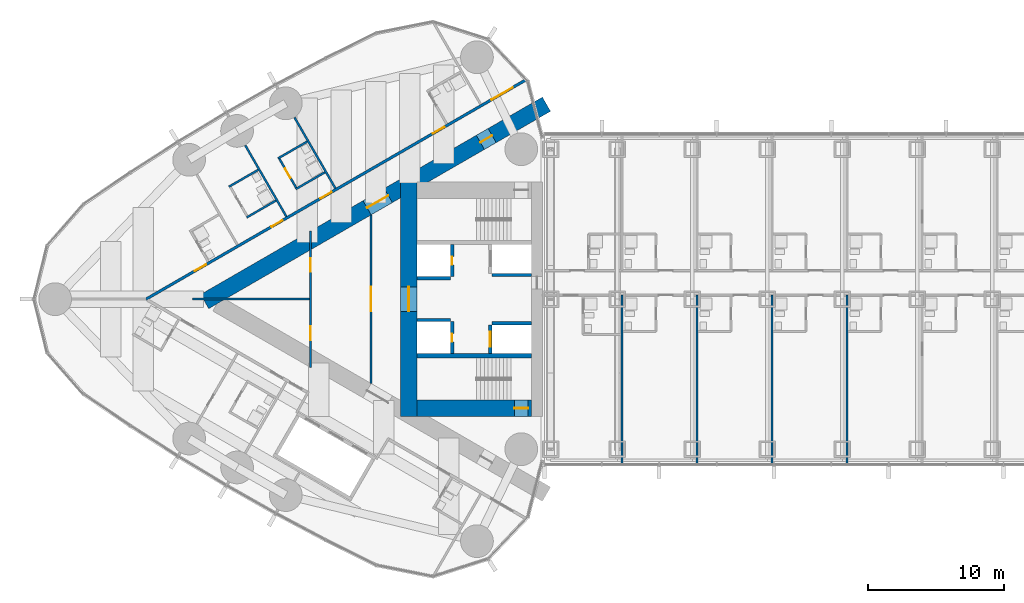
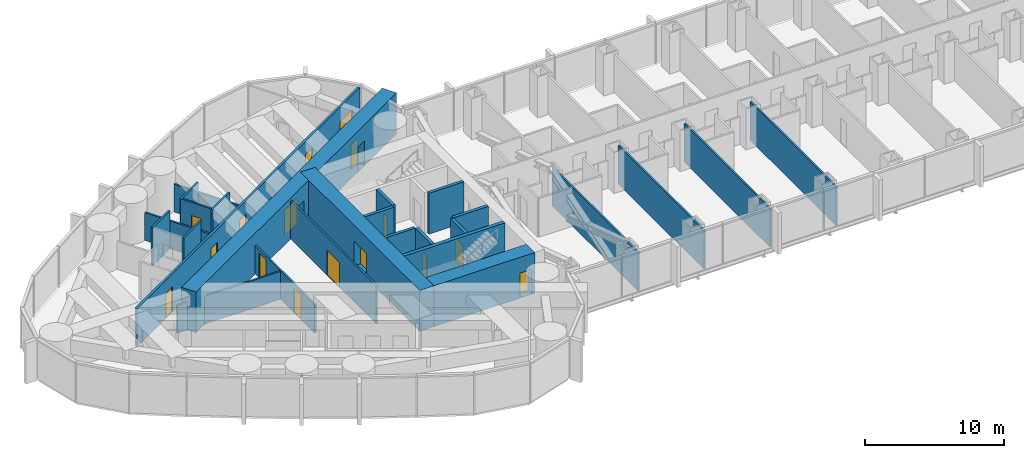
# One storey, part 15 of 23: 26 walls, 16 doors, 16 openings.
"""IFC4 building model written with IfcOpenShell, lengths in metres."""

from ifc_helpers import new_model, si_unit, direction, frame, frame_2d, origin, place, context, subcontext, project, spatial, rectangle, extrude, material, layer, layer_set, type_object, element, fill, save


model = new_model("IFC4")

# Units and contexts
model_context = context("Model", 3, precision=1e-05, world=origin(), true_north=direction((0.0, 1.0)))
body_context = subcontext(model_context, "Body", "Model", "MODEL_VIEW")
ifc_project = project(units=[si_unit("LENGTHUNIT", "METRE"), si_unit("AREAUNIT", "SQUARE_METRE"), si_unit("VOLUMEUNIT", "CUBIC_METRE"), si_unit("PLANEANGLEUNIT", "RADIAN"), si_unit("MASSUNIT", "GRAM", prefix="KILO")], contexts=[model_context])

# Site, building, storey
site_placement = place(None, origin())
site = spatial("IfcSite", under=ifc_project, at=site_placement, CompositionType="ELEMENT")
building_placement = place(site_placement, origin())
building = spatial("IfcBuilding", under=site, at=building_placement, Name="Lancet Gate Hotel", CompositionType="ELEMENT")
storey_placement = place(building_placement, frame((0.0, 0.0, 215.300048828125)))
storey = spatial("IfcBuildingStorey", under=building, at=storey_placement, Name="L57", CompositionType="ELEMENT", Elevation=215.300048828125)

# Wall
ifc_material_1 = material(Name="Moisture resistant board partition")
ifc_layer_1 = layer(ifc_material_1, 0.14990234375)
ifc_layer_set_1 = layer_set([ifc_layer_1], Name="Bathroom wall 150")
wall_type_1 = type_object("IfcWallType", Name="Bathroom wall 150", PredefinedType="PARTITIONING", material=ifc_layer_set_1)
wall_1_placement = place(storey_placement, frame((-44.745361328125, 11.560302734375, 0.0), z_axis=(0.0, 0.0, 1.0), x_axis=(-0.866006523861, -0.500032699561, 0.0)))
element("IfcWall", 1, at=wall_1_placement, inside=storey, type_object=wall_type_1, Name="T1 bathroom wall 150 L57", PredefinedType="PARTITIONING", context=body_context, shape_type="SweptSolid", body=[
    extrude(rectangle(XDim=2.474853515625, YDim=0.14990234375, at=frame_2d((1.2373046875, 0.0))), origin(), (0.0, 0.0, 1.0), 3.349853515625),
])

# Wall, opening, door
wall_2_placement = place(storey_placement, frame((-45.52392578125, 8.108642578125, 0.0), z_axis=(0.0, 0.0, 1.0), x_axis=(-0.49997716683, 0.86603858612, 0.0)))
wall_2 = element("IfcWall", 2, at=wall_2_placement, inside=storey, type_object=wall_type_1, Name="T1 bathroom wall 150 L57", PredefinedType="PARTITIONING", context=body_context, shape_type="SweptSolid", body=[
    extrude(rectangle(XDim=2.599609375, YDim=0.14990234375, at=frame_2d((1.2998046875, 0.0))), origin(), (0.0, 0.0, 1.0), 3.349853515625),
])
opening_1_placement = place(wall_2_placement, frame((0.89990234375, 0.0, 0.0)))
opening_1 = element("IfcOpeningElement", 3, at=opening_1_placement, cuts=wall_2, Name="Opening 5703-B", PredefinedType="OPENING", context=body_context, shape_type="SweptSolid", body=[
    extrude(rectangle(XDim=0.800048828125, YDim=2.199951171875, at=frame_2d((0.39990234375, 1.10009765625))), frame((0.0, 0.0849609375, 0.0), z_axis=(0.0, -1.0, 0.0), x_axis=(1.0, 0.0, 0.0)), (0.0, 0.0, 1.0), 0.169921875),
])
ifc_material_2 = material(Name="Timber door set", Category="wood")
door_type_1 = type_object("IfcDoorType", Name="Bathroom door 800", OperationType="SINGLE_SWING_RIGHT", PredefinedType="DOOR", material=ifc_material_2)
door_1_placement = place(opening_1_placement, origin())
door_1 = element("IfcDoor", 4, at=door_1_placement, inside=storey, type_object=door_type_1, Name="5703-B", OperationType="SINGLE_SWING_RIGHT", OverallHeight=2.199951171875, OverallWidth=0.800048828125, PredefinedType="DOOR", context=body_context, shape_type="SweptSolid", body=[
    extrude(rectangle(XDim=0.800048828125, YDim=2.199951171875, at=frame_2d((0.39990234375, 1.10009765625))), frame((0.0, 0.02490234375, 0.0), z_axis=(0.0, -1.0, 0.0), x_axis=(1.0, 0.0, 0.0)), (0.0, 0.0, 1.0), 0.050048828125),
])
fill(opening_1, door_1)

# Walls
wall_3_placement = place(storey_placement, frame((-43.4453125, 9.30859375, 0.0), z_axis=(0.0, 0.0, 1.0), x_axis=(-0.866031185235, -0.4999899861, 0.0)))
element("IfcWall", 5, at=wall_3_placement, inside=storey, type_object=wall_type_1, Name="T1 bathroom wall 150 L57", PredefinedType="PARTITIONING", context=body_context, shape_type="SweptSolid", body=[
    extrude(rectangle(XDim=2.47509765625, YDim=0.14990234375, at=frame_2d((1.237548828125, 0.0))), origin(), (0.0, 0.0, 1.0), 3.349853515625),
])
wall_4_placement = place(storey_placement, frame((-48.338623046875, 9.485595703125, 0.0), z_axis=(0.0, 0.0, 1.0), x_axis=(-0.866006523861, -0.500032699561, 0.0)))
element("IfcWall", 6, at=wall_4_placement, inside=storey, type_object=wall_type_1, Name="T1 bathroom wall 150 L57", PredefinedType="PARTITIONING", context=body_context, shape_type="SweptSolid", body=[
    extrude(rectangle(XDim=2.474853515625, YDim=0.14990234375, at=frame_2d((1.2373046875, 0.0))), origin(), (0.0, 0.0, 1.0), 3.349853515625),
])
wall_5_placement = place(storey_placement, frame((-47.03857421875, 7.23388671875, 0.0), z_axis=(0.0, 0.0, 1.0), x_axis=(-0.866073894602, -0.499916002032, 0.0)))
element("IfcWall", 7, at=wall_5_placement, inside=storey, type_object=wall_type_1, Name="T1 bathroom wall 150 L57", PredefinedType="PARTITIONING", context=body_context, shape_type="SweptSolid", body=[
    extrude(rectangle(XDim=2.47509765625, YDim=0.14990234375, at=frame_2d((1.237548828125, 0.0))), origin(), (0.0, 0.0, 1.0), 3.349853515625),
])

# Wall, openings, doors
ifc_material_3 = material(Name="Concrete C70/85", Category="concrete")
ifc_layer_2 = layer(ifc_material_3, 1.199951171875)
ifc_layer_set_2 = layer_set([ifc_layer_2], Name="Buttress wall 1200")
wall_type_2 = type_object("IfcWallType", Name="Buttress wall 1200", PredefinedType="SHEAR", material=ifc_layer_set_2)
wall_6_placement = place(storey_placement, frame((-27.199951171875, 14.300048828125, 0.0), z_axis=(0.0, 0.0, 1.0), x_axis=(-0.866026593062, -0.499997940104, 0.0)))
wall_6 = element("IfcWall", 8, at=wall_6_placement, inside=storey, type_object=wall_type_2, Name="T1 buttress wall S L57", PredefinedType="SHEAR", context=body_context, shape_type="SweptSolid", body=[
    extrude(rectangle(XDim=28.9462890625, YDim=1.199951171875, at=frame_2d((14.47314453125, 0.0))), origin(), (0.0, 0.0, 1.0), 3.599853515625),
])
opening_2_placement = place(wall_6_placement, frame((4.60009765625, 0.0, 0.0)))
opening_2 = element("IfcOpeningElement", 9, at=opening_2_placement, cuts=wall_6, Name="Opening T1-L57-LS", PredefinedType="OPENING", context=body_context, shape_type="SweptSolid", body=[
    extrude(rectangle(XDim=1.0, YDim=2.199951171875, at=frame_2d((0.5, 1.10009765625))), frame((0.0, 0.60986328125, 0.0), z_axis=(0.0, -1.0, 0.0), x_axis=(1.0, 0.0, 0.0)), (0.0, 0.0, 1.0), 1.219970703125),
])
opening_3_placement = place(wall_6_placement, frame((13.39453125, 0.0, 0.0)))
opening_3 = element("IfcOpeningElement", 10, at=opening_3_placement, cuts=wall_6, Name="Opening T1-L57-LHS", PredefinedType="OPENING", context=body_context, shape_type="SweptSolid", body=[
    extrude(rectangle(XDim=1.800048828125, YDim=2.199951171875, at=frame_2d((0.89990234375, 1.10009765625))), frame((0.0, 0.60986328125, 0.0), z_axis=(0.0, -1.0, 0.0), x_axis=(1.0, 0.0, 0.0)), (0.0, 0.0, 1.0), 1.219970703125),
])
ifc_material_4 = material(Name="Timber door set", Category="wood")
door_type_2 = type_object("IfcDoorType", Name="Lobby double door 1800", OperationType="DOUBLE_DOOR_SINGLE_SWING", PredefinedType="DOOR", material=ifc_material_4)
door_2_placement = place(opening_3_placement, origin())
door_2 = element("IfcDoor", 11, at=door_2_placement, inside=storey, type_object=door_type_2, Name="T1-L57-LHS", OperationType="DOUBLE_DOOR_SINGLE_SWING", OverallHeight=2.199951171875, OverallWidth=1.800048828125, PredefinedType="DOOR", context=body_context, shape_type="SweptSolid", body=[
    extrude(rectangle(XDim=1.800048828125, YDim=2.199951171875, at=frame_2d((0.89990234375, 1.10009765625))), frame((0.0, 0.02490234375, 0.0), z_axis=(0.0, -1.0, 0.0), x_axis=(1.0, 0.0, 0.0)), (0.0, 0.0, 1.0), 0.050048828125),
])
fill(opening_3, door_2)
ifc_material_5 = material(Name="Timber door set", Category="wood")
door_type_3 = type_object("IfcDoorType", Name="Stair lobby door 1000", OperationType="SINGLE_SWING_LEFT", PredefinedType="DOOR", material=ifc_material_5)
door_3_placement = place(opening_2_placement, origin())
door_3 = element("IfcDoor", 12, at=door_3_placement, inside=storey, type_object=door_type_3, Name="T1-L57-LS", OperationType="SINGLE_SWING_LEFT", OverallHeight=2.199951171875, OverallWidth=1.0, PredefinedType="DOOR", context=body_context, shape_type="SweptSolid", body=[
    extrude(rectangle(XDim=1.0, YDim=2.199951171875, at=frame_2d((0.5, 1.10009765625))), frame((0.0, 0.02490234375, 0.0), z_axis=(0.0, -1.0, 0.0), x_axis=(1.0, 0.0, 0.0)), (0.0, 0.0, 1.0), 0.050048828125),
])
fill(opening_2, door_3)

# Wall, opening, door
ifc_material_6 = material(Name="Concrete C70/85", Category="concrete")
ifc_layer_3 = layer(ifc_material_6, 1.199951171875)
ifc_layer_set_3 = layer_set([ifc_layer_3], Name="Core wall 1200")
wall_type_3 = type_object("IfcWallType", Name="Core wall 1200", PredefinedType="SHEAR", material=ifc_layer_set_3)
wall_7_placement = place(storey_placement, frame((-37.300048828125, 8.60009765625, 0.0), z_axis=(0.0, 0.0, 1.0), x_axis=(0.0, -1.0, 0.0)))
wall_7 = element("IfcWall", 13, at=wall_7_placement, inside=storey, type_object=wall_type_3, Name="T1 core wall back L57", PredefinedType="SHEAR", context=body_context, shape_type="SweptSolid", body=[
    extrude(rectangle(XDim=17.2001953125, YDim=1.199951171875, at=frame_2d((8.60009765625, 0.0))), origin(), (0.0, 0.0, 1.0), 3.599853515625),
])
opening_4_placement = place(wall_7_placement, frame((7.699951171875, 0.0, 0.0)))
opening_4 = element("IfcOpeningElement", 14, at=opening_4_placement, cuts=wall_7, Name="Opening T1-L57-LL", PredefinedType="OPENING", context=body_context, shape_type="SweptSolid", body=[
    extrude(rectangle(XDim=1.800048828125, YDim=2.199951171875, at=frame_2d((0.89990234375, 1.10009765625))), frame((0.0, 0.60986328125, 0.0), z_axis=(0.0, -1.0, 0.0), x_axis=(1.0, 0.0, 0.0)), (0.0, 0.0, 1.0), 1.219970703125),
])
door_4_placement = place(opening_4_placement, origin())
door_4 = element("IfcDoor", 15, at=door_4_placement, inside=storey, type_object=door_type_2, Name="T1-L57-LL", OperationType="DOUBLE_DOOR_SINGLE_SWING", OverallHeight=2.199951171875, OverallWidth=1.800048828125, PredefinedType="DOOR", context=body_context, shape_type="SweptSolid", body=[
    extrude(rectangle(XDim=1.800048828125, YDim=2.199951171875, at=frame_2d((0.89990234375, 1.10009765625))), frame((0.0, 0.02490234375, 0.0), z_axis=(0.0, -1.0, 0.0), x_axis=(1.0, 0.0, 0.0)), (0.0, 0.0, 1.0), 0.050048828125),
])
fill(opening_4, door_4)

wall_8_placement = place(storey_placement, frame((-28.300048828125, -8.0, 0.0), z_axis=(0.0, 0.0, 1.0), x_axis=(-1.0, 0.0, 0.0)))
wall_8 = element("IfcWall", 16, at=wall_8_placement, inside=storey, type_object=wall_type_3, Name="T1 core wall side-N L57", PredefinedType="SHEAR", context=body_context, shape_type="SweptSolid", body=[
    extrude(rectangle(XDim=8.39990234375, YDim=1.199951171875, at=frame_2d((4.199951171875, 0.0))), origin(), (0.0, 0.0, 1.0), 3.599853515625),
])
opening_5_placement = place(wall_8_placement, frame((0.25, 0.0, 0.0)))
opening_5 = element("IfcOpeningElement", 17, at=opening_5_placement, cuts=wall_8, Name="Opening T1-L57-ST2", PredefinedType="OPENING", context=body_context, shape_type="SweptSolid", body=[
    extrude(rectangle(XDim=1.0, YDim=2.199951171875, at=frame_2d((0.5, 1.10009765625))), frame((0.0, 0.60986328125, 0.0), z_axis=(0.0, -1.0, 0.0), x_axis=(1.0, 0.0, 0.0)), (0.0, 0.0, 1.0), 1.219970703125),
])
ifc_material_7 = material(Name="Timber door set", Category="wood")
door_type_4 = type_object("IfcDoorType", Name="Stair door 1000", OperationType="SINGLE_SWING_RIGHT", PredefinedType="DOOR", material=ifc_material_7)
door_5_placement = place(opening_5_placement, origin())
door_5 = element("IfcDoor", 18, at=door_5_placement, inside=storey, type_object=door_type_4, Name="T1-L57-ST2", OperationType="SINGLE_SWING_RIGHT", OverallHeight=2.199951171875, OverallWidth=1.0, PredefinedType="DOOR", context=body_context, shape_type="SweptSolid", body=[
    extrude(rectangle(XDim=1.0, YDim=2.199951171875, at=frame_2d((0.5, 1.10009765625))), frame((0.0, 0.02490234375, 0.0), z_axis=(0.0, -1.0, 0.0), x_axis=(1.0, 0.0, 0.0)), (0.0, 0.0, 1.0), 0.050048828125),
])
fill(opening_5, door_5)

# Wall, openings, doors
ifc_material_8 = material(Name="Gypsum board partition")
ifc_layer_4 = layer(ifc_material_8, 0.199951171875)
ifc_layer_set_4 = layer_set([ifc_layer_4], Name="Corridor wall 200")
wall_type_4 = type_object("IfcWallType", Name="Corridor wall 200", PredefinedType="PARTITIONING", material=ifc_layer_set_4)
wall_9_placement = place(storey_placement, frame((-28.737060546875, 16.068359375, 0.0), z_axis=(0.0, 0.0, 1.0), x_axis=(-0.866026057212, -0.499998868229, 0.0)))
wall_9 = element("IfcWall", 19, at=wall_9_placement, inside=storey, type_object=wall_type_4, Name="T1 corridor wall 200 L57", PredefinedType="PARTITIONING", context=body_context, shape_type="SweptSolid", body=[
    extrude(rectangle(XDim=32.13671875, YDim=0.199951171875, at=frame_2d((16.068359375, 0.0))), origin(), (0.0, 0.0, 1.0), 3.349853515625),
])
opening_6_placement = place(wall_9_placement, frame((1.080078125, 0.0, 0.0)))
opening_6 = element("IfcOpeningElement", 20, at=opening_6_placement, cuts=wall_9, Name="Opening 5701-E", PredefinedType="OPENING", context=body_context, shape_type="SweptSolid", body=[
    extrude(rectangle(XDim=1.800048828125, YDim=2.030029296875, at=frame_2d((0.89990234375, 1.01513671875))), frame((0.0, 0.10986328125, 0.0), z_axis=(0.0, -1.0, 0.0), x_axis=(1.0, 0.0, 0.0)), (0.0, 0.0, 1.0), 0.219970703125),
])
opening_7_placement = place(wall_9_placement, frame((6.860107421875, 0.0, 0.0)))
opening_7 = element("IfcOpeningElement", 21, at=opening_7_placement, cuts=wall_9, Name="Opening 5702-E", PredefinedType="OPENING", context=body_context, shape_type="SweptSolid", body=[
    extrude(rectangle(XDim=1.0, YDim=2.199951171875, at=frame_2d((0.5, 1.10009765625))), frame((0.0, 0.10986328125, 0.0), z_axis=(0.0, -1.0, 0.0), x_axis=(1.0, 0.0, 0.0)), (0.0, 0.0, 1.0), 0.219970703125),
])
opening_8_placement = place(wall_9_placement, frame((16.417724609375, 0.0, 0.0)))
opening_8 = element("IfcOpeningElement", 22, at=opening_8_placement, cuts=wall_9, Name="Opening 5703-E", PredefinedType="OPENING", context=body_context, shape_type="SweptSolid", body=[
    extrude(rectangle(XDim=0.949951171875, YDim=2.199951171875, at=frame_2d((0.47509765625, 1.10009765625))), frame((0.0, 0.10986328125, 0.0), z_axis=(0.0, -1.0, 0.0), x_axis=(1.0, 0.0, 0.0)), (0.0, 0.0, 1.0), 0.219970703125),
])
opening_9_placement = place(wall_9_placement, frame((20.56689453125, 0.0, 0.0)))
opening_9 = element("IfcOpeningElement", 23, at=opening_9_placement, cuts=wall_9, Name="Opening 5704-E", PredefinedType="OPENING", context=body_context, shape_type="SweptSolid", body=[
    extrude(rectangle(XDim=0.949951171875, YDim=2.199951171875, at=frame_2d((0.47509765625, 1.10009765625))), frame((0.0, 0.10986328125, 0.0), z_axis=(0.0, -1.0, 0.0), x_axis=(1.0, 0.0, 0.0)), (0.0, 0.0, 1.0), 0.219970703125),
])
opening_10_placement = place(wall_9_placement, frame((27.0654296875, 0.0, 0.0)))
opening_10 = element("IfcOpeningElement", 24, at=opening_10_placement, cuts=wall_9, Name="Opening 5705-E", PredefinedType="OPENING", context=body_context, shape_type="SweptSolid", body=[
    extrude(rectangle(XDim=0.949951171875, YDim=2.199951171875, at=frame_2d((0.47509765625, 1.10009765625))), frame((0.0, 0.10986328125, 0.0), z_axis=(0.0, -1.0, 0.0), x_axis=(1.0, 0.0, 0.0)), (0.0, 0.0, 1.0), 0.219970703125),
])
ifc_material_9 = material(Name="Timber door set", Category="wood")
door_type_5 = type_object("IfcDoorType", Name="Accessible guest room door 1000", OperationType="SINGLE_SWING_LEFT", PredefinedType="DOOR", material=ifc_material_9)
door_6_placement = place(opening_7_placement, origin())
door_6 = element("IfcDoor", 25, at=door_6_placement, inside=storey, type_object=door_type_5, Name="5702-E", OperationType="SINGLE_SWING_LEFT", OverallHeight=2.199951171875, OverallWidth=1.0, PredefinedType="DOOR", context=body_context, shape_type="SweptSolid", body=[
    extrude(rectangle(XDim=1.0, YDim=2.199951171875, at=frame_2d((0.5, 1.10009765625))), frame((0.0, 0.02490234375, 0.0), z_axis=(0.0, -1.0, 0.0), x_axis=(1.0, 0.0, 0.0)), (0.0, 0.0, 1.0), 0.050048828125),
])
fill(opening_7, door_6)
ifc_material_10 = material(Name="Timber door set", Category="wood")
door_type_6 = type_object("IfcDoorType", Name="Double door 1800, 2030 high", OperationType="DOUBLE_DOOR_SINGLE_SWING", PredefinedType="DOOR", material=ifc_material_10)
door_7_placement = place(opening_6_placement, origin())
door_7 = element("IfcDoor", 26, at=door_7_placement, inside=storey, type_object=door_type_6, Name="5701-E", OperationType="DOUBLE_DOOR_SINGLE_SWING", OverallHeight=2.030029296875, OverallWidth=1.800048828125, PredefinedType="DOOR", context=body_context, shape_type="SweptSolid", body=[
    extrude(rectangle(XDim=1.800048828125, YDim=2.030029296875, at=frame_2d((0.89990234375, 1.01513671875))), frame((0.0, 0.02490234375, 0.0), z_axis=(0.0, -1.0, 0.0), x_axis=(1.0, 0.0, 0.0)), (0.0, 0.0, 1.0), 0.050048828125),
])
fill(opening_6, door_7)
ifc_material_11 = material(Name="Timber door set", Category="wood")
door_type_7 = type_object("IfcDoorType", Name="Guest room entry door 950", OperationType="SINGLE_SWING_LEFT", PredefinedType="DOOR", material=ifc_material_11)
door_8_placement = place(opening_8_placement, origin())
door_8 = element("IfcDoor", 27, at=door_8_placement, inside=storey, type_object=door_type_7, Name="5703-E", OperationType="SINGLE_SWING_LEFT", OverallHeight=2.199951171875, OverallWidth=0.949951171875, PredefinedType="DOOR", context=body_context, shape_type="SweptSolid", body=[
    extrude(rectangle(XDim=0.949951171875, YDim=2.199951171875, at=frame_2d((0.47509765625, 1.10009765625))), frame((0.0, 0.02490234375, 0.0), z_axis=(0.0, -1.0, 0.0), x_axis=(1.0, 0.0, 0.0)), (0.0, 0.0, 1.0), 0.050048828125),
])
fill(opening_8, door_8)
door_9_placement = place(opening_9_placement, origin())
door_9 = element("IfcDoor", 28, at=door_9_placement, inside=storey, type_object=door_type_7, Name="5704-E", OperationType="SINGLE_SWING_LEFT", OverallHeight=2.199951171875, OverallWidth=0.949951171875, PredefinedType="DOOR", context=body_context, shape_type="SweptSolid", body=[
    extrude(rectangle(XDim=0.949951171875, YDim=2.199951171875, at=frame_2d((0.47509765625, 1.10009765625))), frame((0.0, 0.02490234375, 0.0), z_axis=(0.0, -1.0, 0.0), x_axis=(1.0, 0.0, 0.0)), (0.0, 0.0, 1.0), 0.050048828125),
])
fill(opening_9, door_9)
door_10_placement = place(opening_10_placement, origin())
door_10 = element("IfcDoor", 29, at=door_10_placement, inside=storey, type_object=door_type_7, Name="5705-E", OperationType="SINGLE_SWING_LEFT", OverallHeight=2.199951171875, OverallWidth=0.949951171875, PredefinedType="DOOR", context=body_context, shape_type="SweptSolid", body=[
    extrude(rectangle(XDim=0.949951171875, YDim=2.199951171875, at=frame_2d((0.47509765625, 1.10009765625))), frame((0.0, 0.02490234375, 0.0), z_axis=(0.0, -1.0, 0.0), x_axis=(1.0, 0.0, 0.0)), (0.0, 0.0, 1.0), 0.050048828125),
])
fill(opening_10, door_10)

# Wall, opening, door
ifc_material_12 = material(Name="Concrete C50/60", Category="concrete")
ifc_layer_5 = layer(ifc_material_12, 0.25)
ifc_layer_set_5 = layer_set([ifc_layer_5], Name="Lift shaft wall 250")
wall_type_5 = type_object("IfcWallType", Name="Lift shaft wall 250", PredefinedType="SHEAR", material=ifc_layer_set_5)
wall_10_placement = place(storey_placement, frame((-34.125, 4.0, 0.0), z_axis=(0.0, 0.0, 1.0), x_axis=(0.0, -1.0, 0.0)))
wall_10 = element("IfcWall", 30, at=wall_10_placement, inside=storey, type_object=wall_type_5, Name="T1 core wall row2-S L57", PredefinedType="SHEAR", context=body_context, shape_type="SweptSolid", body=[
    extrude(rectangle(XDim=2.35009765625, YDim=0.25, at=frame_2d((1.175048828125, 0.0))), origin(), (0.0, 0.0, 1.0), 3.599853515625),
])
opening_11_placement = place(wall_10_placement, frame((0.875, 0.0, 0.0)))
opening_11 = element("IfcOpeningElement", 31, at=opening_11_placement, cuts=wall_10, Name="Opening T1-OL3-L57-E", PredefinedType="OPENING", context=body_context, shape_type="SweptSolid", body=[
    extrude(rectangle(XDim=0.60009765625, YDim=2.0, at=frame_2d((0.300048828125, 1.0))), frame((0.0, 0.135009765625, 0.0), z_axis=(0.0, -1.0, 0.0), x_axis=(1.0, 0.0, 0.0)), (0.0, 0.0, 1.0), 0.27001953125),
])
ifc_material_13 = material(Name="Steel door set", Category="steel")
door_type_8 = type_object("IfcDoorType", Name="Lift shaft emergency door 600x2000", OperationType="SLIDING_TO_LEFT", PredefinedType="DOOR", material=ifc_material_13)
door_11_placement = place(opening_11_placement, origin())
door_11 = element("IfcDoor", 32, at=door_11_placement, inside=storey, type_object=door_type_8, Name="T1-OL3-L57-E", OperationType="SLIDING_TO_LEFT", OverallHeight=2.0, OverallWidth=0.60009765625, PredefinedType="DOOR", context=body_context, shape_type="SweptSolid", body=[
    extrude(rectangle(XDim=0.60009765625, YDim=2.0, at=frame_2d((0.300048828125, 1.0))), frame((0.0, 0.02490234375, 0.0), z_axis=(0.0, -1.0, 0.0), x_axis=(1.0, 0.0, 0.0)), (0.0, 0.0, 1.0), 0.050048828125),
])
fill(opening_11, door_11)

# Walls
wall_11_placement = place(storey_placement, frame((-28.300048828125, 1.77490234375, 0.0), z_axis=(0.0, 0.0, 1.0), x_axis=(-1.0, 0.0, 0.0)))
element("IfcWall", 33, at=wall_11_placement, inside=storey, type_object=wall_type_5, Name="T1 core wall pass1-S L57", PredefinedType="SHEAR", context=body_context, shape_type="SweptSolid", body=[
    extrude(rectangle(XDim=2.89990234375, YDim=0.25, at=frame_2d((1.449951171875, 0.0))), origin(), (0.0, 0.0, 1.0), 3.599853515625),
])
wall_12_placement = place(storey_placement, frame((-34.25, 1.52490234375, 0.0), z_axis=(0.0, 0.0, 1.0), x_axis=(-1.0, 0.0, 0.0)))
element("IfcWall", 34, at=wall_12_placement, inside=storey, type_object=wall_type_5, Name="T1 core wall pass2-S L57", PredefinedType="SHEAR", context=body_context, shape_type="SweptSolid", body=[
    extrude(rectangle(XDim=2.449951171875, YDim=0.25, at=frame_2d((1.22509765625, 0.0))), origin(), (0.0, 0.0, 1.0), 3.599853515625),
])

# Wall, opening, door
wall_13_placement = place(storey_placement, frame((-31.324951171875, -1.89990234375, 0.0), z_axis=(0.0, 0.0, 1.0), x_axis=(0.0, -1.0, 0.0)))
wall_13 = element("IfcWall", 35, at=wall_13_placement, inside=storey, type_object=wall_type_5, Name="T1 core wall row1-N L57", PredefinedType="SHEAR", context=body_context, shape_type="SweptSolid", body=[
    extrude(rectangle(XDim=2.10009765625, YDim=0.25, at=frame_2d((1.050048828125, 0.0))), origin(), (0.0, 0.0, 1.0), 3.599853515625),
])
opening_12_placement = place(wall_13_placement, frame((0.5, 0.0, 0.0)))
opening_12 = element("IfcOpeningElement", 36, at=opening_12_placement, cuts=wall_13, Name="Opening T1-FL2-L57", PredefinedType="OPENING", context=body_context, shape_type="SweptSolid", body=[
    extrude(rectangle(XDim=1.10009765625, YDim=2.199951171875, at=frame_2d((0.550048828125, 1.10009765625))), frame((0.0, 0.135009765625, 0.0), z_axis=(0.0, -1.0, 0.0), x_axis=(1.0, 0.0, 0.0)), (0.0, 0.0, 1.0), 0.27001953125),
])
ifc_material_14 = material(Name="Steel door set", Category="steel")
door_type_9 = type_object("IfcDoorType", Name="Firefighting lift landing door 1100", OperationType="SLIDING_TO_LEFT", PredefinedType="USERDEFINED", material=ifc_material_14)
door_12_placement = place(opening_12_placement, origin())
door_12 = element("IfcDoor", 37, at=door_12_placement, inside=storey, type_object=door_type_9, Name="T1-FL2-L57", ObjectType="LIFT LANDING DOOR", OperationType="SLIDING_TO_LEFT", OverallHeight=2.199951171875, OverallWidth=1.10009765625, PredefinedType="USERDEFINED", context=body_context, shape_type="SweptSolid", body=[
    extrude(rectangle(XDim=1.10009765625, YDim=2.199951171875, at=frame_2d((0.550048828125, 1.10009765625))), frame((0.0, 0.02490234375, 0.0), z_axis=(0.0, -1.0, 0.0), x_axis=(1.0, 0.0, 0.0)), (0.0, 0.0, 1.0), 0.050048828125),
])
fill(opening_12, door_12)

wall_14_placement = place(storey_placement, frame((-34.125, -1.64990234375, 0.0), z_axis=(0.0, 0.0, 1.0), x_axis=(0.0, -1.0, 0.0)))
wall_14 = element("IfcWall", 38, at=wall_14_placement, inside=storey, type_object=wall_type_5, Name="T1 core wall row2-N L57", PredefinedType="SHEAR", context=body_context, shape_type="SweptSolid", body=[
    extrude(rectangle(XDim=2.35009765625, YDim=0.25, at=frame_2d((1.175048828125, 0.0))), origin(), (0.0, 0.0, 1.0), 3.599853515625),
])
opening_13_placement = place(wall_14_placement, frame((0.875, 0.0, 0.0)))
opening_13 = element("IfcOpeningElement", 39, at=opening_13_placement, cuts=wall_14, Name="Opening T1-OL4-L57-E", PredefinedType="OPENING", context=body_context, shape_type="SweptSolid", body=[
    extrude(rectangle(XDim=0.60009765625, YDim=2.0, at=frame_2d((0.300048828125, 1.0))), frame((0.0, 0.135009765625, 0.0), z_axis=(0.0, -1.0, 0.0), x_axis=(1.0, 0.0, 0.0)), (0.0, 0.0, 1.0), 0.27001953125),
])
door_13_placement = place(opening_13_placement, origin())
door_13 = element("IfcDoor", 40, at=door_13_placement, inside=storey, type_object=door_type_8, Name="T1-OL4-L57-E", OperationType="SLIDING_TO_LEFT", OverallHeight=2.0, OverallWidth=0.60009765625, PredefinedType="DOOR", context=body_context, shape_type="SweptSolid", body=[
    extrude(rectangle(XDim=0.60009765625, YDim=2.0, at=frame_2d((0.300048828125, 1.0))), frame((0.0, 0.02490234375, 0.0), z_axis=(0.0, -1.0, 0.0), x_axis=(1.0, 0.0, 0.0)), (0.0, 0.0, 1.0), 0.050048828125),
])
fill(opening_13, door_13)

# Walls
wall_15_placement = place(storey_placement, frame((-28.300048828125, -1.77490234375, 0.0), z_axis=(0.0, 0.0, 1.0), x_axis=(-1.0, 0.0, 0.0)))
element("IfcWall", 41, at=wall_15_placement, inside=storey, type_object=wall_type_5, Name="T1 core wall pass1-N L57", PredefinedType="SHEAR", context=body_context, shape_type="SweptSolid", body=[
    extrude(rectangle(XDim=2.89990234375, YDim=0.25, at=frame_2d((1.449951171875, 0.0))), origin(), (0.0, 0.0, 1.0), 3.599853515625),
])
wall_16_placement = place(storey_placement, frame((-34.25, -1.52490234375, 0.0), z_axis=(0.0, 0.0, 1.0), x_axis=(-1.0, 0.0, 0.0)))
element("IfcWall", 42, at=wall_16_placement, inside=storey, type_object=wall_type_5, Name="T1 core wall pass2-N L57", PredefinedType="SHEAR", context=body_context, shape_type="SweptSolid", body=[
    extrude(rectangle(XDim=2.449951171875, YDim=0.25, at=frame_2d((1.22509765625, 0.0))), origin(), (0.0, 0.0, 1.0), 3.599853515625),
])
ifc_material_15 = material(Name="Gypsum board partition")
ifc_layer_6 = layer(ifc_material_15, 0.14990234375)
ifc_layer_set_6 = layer_set([ifc_layer_6], Name="Party wall 150")
wall_type_6 = type_object("IfcWallType", Name="Party wall 150", PredefinedType="PARTITIONING", material=ifc_layer_set_6)
wall_17_placement = place(storey_placement, frame((-42.680419921875, 8.133544921875, 0.0), z_axis=(0.0, 0.0, 1.0), x_axis=(-0.499984479505, 0.866034364361, 0.0)))
element("IfcWall", 43, at=wall_17_placement, inside=storey, type_object=wall_type_6, Name="T1 party wall 150 L57", PredefinedType="PARTITIONING", context=body_context, shape_type="SweptSolid", body=[
    extrude(rectangle(XDim=5.995361328125, YDim=0.14990234375, at=frame_2d((2.99755859375, 0.0))), origin(), (0.0, 0.0, 1.0), 2.449951171875),
])
wall_18_placement = place(storey_placement, frame((-46.273681640625, 6.05908203125, 0.0), z_axis=(0.0, 0.0, 1.0), x_axis=(-0.500020471368, 0.866013584312, 0.0)))
element("IfcWall", 44, at=wall_18_placement, inside=storey, type_object=wall_type_6, Name="T1 party wall 150 L57", PredefinedType="PARTITIONING", context=body_context, shape_type="SweptSolid", body=[
    extrude(rectangle(XDim=6.027587890625, YDim=0.14990234375, at=frame_2d((3.013671875, 0.0))), origin(), (0.0, 0.0, 1.0), 2.449951171875),
])
for number, where, z_axis, x_axis, name in (
    (45, (-21.64990234375, -12.070068359375, 0.0), (0.0, 0.0, 1.0), (0.0, 1.0, 0.0), "Bridge block party wall 150 L57"),
    (46, (-16.14990234375, -12.070068359375, 0.0), (0.0, 0.0, 1.0), (0.0, 1.0, 0.0), "Bridge block party wall 150 L57"),
    (47, (-10.64990234375, -12.070068359375, 0.0), (0.0, 0.0, 1.0), (0.0, 1.0, 0.0), "Bridge block party wall 150 L57"),
    (48, (-5.14990234375, -12.070068359375, 0.0), (0.0, 0.0, 1.0), (0.0, 1.0, 0.0), "Bridge block party wall 150 L57"),
):
    element("IfcWall", number, at=place(storey_placement, frame(where, z_axis=z_axis, x_axis=x_axis)), inside=storey, type_object=wall_type_6, Name=name, PredefinedType="PARTITIONING", context=body_context, shape_type="SweptSolid", body=[
        extrude(rectangle(XDim=12.3701171875, YDim=0.14990234375, at=frame_2d((6.18505859375, 0.0))), origin(), (0.0, 0.0, 1.0), 3.39990234375),
    ])

# Wall, opening, door
ifc_material_16 = material(Name="Gypsum board partition")
ifc_layer_7 = layer(ifc_material_16, 0.14990234375)
ifc_layer_set_7 = layer_set([ifc_layer_7], Name="Service room wall 150")
wall_type_7 = type_object("IfcWallType", Name="Service room wall 150", PredefinedType="PARTITIONING", material=ifc_layer_set_7)
wall_19_placement = place(storey_placement, frame((-40.074951171875, 6.173828125, 0.0), z_axis=(0.0, 0.0, 1.0), x_axis=(0.0, -1.0, 0.0)))
wall_19 = element("IfcWall", 49, at=wall_19_placement, inside=storey, type_object=wall_type_7, Name="T1 service room wall 150 L57", PredefinedType="PARTITIONING", context=body_context, shape_type="SweptSolid", body=[
    extrude(rectangle(XDim=12.34765625, YDim=0.14990234375, at=frame_2d((6.173828125, 0.0))), origin(), (0.0, 0.0, 1.0), 3.349853515625),
])
opening_14_placement = place(wall_19_placement, frame((5.273681640625, 0.0, 0.0)))
opening_14 = element("IfcOpeningElement", 50, at=opening_14_placement, cuts=wall_19, Name="Opening T1-L57-LH", PredefinedType="OPENING", context=body_context, shape_type="SweptSolid", body=[
    extrude(rectangle(XDim=1.800048828125, YDim=2.199951171875, at=frame_2d((0.89990234375, 1.10009765625))), frame((0.0, 0.0849609375, 0.0), z_axis=(0.0, -1.0, 0.0), x_axis=(1.0, 0.0, 0.0)), (0.0, 0.0, 1.0), 0.169921875),
])
door_14_placement = place(opening_14_placement, origin())
door_14 = element("IfcDoor", 51, at=door_14_placement, inside=storey, type_object=door_type_2, Name="T1-L57-LH", OperationType="DOUBLE_DOOR_SINGLE_SWING", OverallHeight=2.199951171875, OverallWidth=1.800048828125, PredefinedType="DOOR", context=body_context, shape_type="SweptSolid", body=[
    extrude(rectangle(XDim=1.800048828125, YDim=2.199951171875, at=frame_2d((0.89990234375, 1.10009765625))), frame((0.0, 0.02490234375, 0.0), z_axis=(0.0, -1.0, 0.0), x_axis=(1.0, 0.0, 0.0)), (0.0, 0.0, 1.0), 0.050048828125),
])
fill(opening_14, door_14)

# Wall, openings, doors
wall_20_placement = place(storey_placement, frame((-44.5, 5.004638671875, 0.0), z_axis=(0.0, 0.0, 1.0), x_axis=(0.0, -1.0, 0.0)))
wall_20 = element("IfcWall", 52, at=wall_20_placement, inside=storey, type_object=wall_type_7, Name="T1 service room wall 150 L57", PredefinedType="PARTITIONING", context=body_context, shape_type="SweptSolid", body=[
    extrude(rectangle(XDim=10.00927734375, YDim=0.14990234375, at=frame_2d((5.004638671875, 0.0))), origin(), (0.0, 0.0, 1.0), 2.5),
])
opening_15_placement = place(wall_20_placement, frame((2.002197265625, 0.0, 0.0)))
opening_15 = element("IfcOpeningElement", 53, at=opening_15_placement, cuts=wall_20, Name="Opening T1-L57-SV", PredefinedType="OPENING", context=body_context, shape_type="SweptSolid", body=[
    extrude(rectangle(XDim=1.0, YDim=2.199951171875, at=frame_2d((0.5, 1.10009765625))), frame((0.0, 0.0849609375, 0.0), z_axis=(0.0, -1.0, 0.0), x_axis=(1.0, 0.0, 0.0)), (0.0, 0.0, 1.0), 0.169921875),
])
opening_16_placement = place(wall_20_placement, frame((7.0068359375, 0.0, 0.0)))
opening_16 = element("IfcOpeningElement", 54, at=opening_16_placement, cuts=wall_20, Name="Opening T1-L57-SV2", PredefinedType="OPENING", context=body_context, shape_type="SweptSolid", body=[
    extrude(rectangle(XDim=1.0, YDim=2.199951171875, at=frame_2d((0.5, 1.10009765625))), frame((0.0, 0.0849609375, 0.0), z_axis=(0.0, -1.0, 0.0), x_axis=(1.0, 0.0, 0.0)), (0.0, 0.0, 1.0), 0.169921875),
])
ifc_material_17 = material(Name="Timber door set", Category="wood")
door_type_10 = type_object("IfcDoorType", Name="Service door 1000", OperationType="SINGLE_SWING_LEFT", PredefinedType="DOOR", material=ifc_material_17)
door_15_placement = place(opening_15_placement, origin())
door_15 = element("IfcDoor", 55, at=door_15_placement, inside=storey, type_object=door_type_10, Name="T1-L57-SV", OperationType="SINGLE_SWING_LEFT", OverallHeight=2.199951171875, OverallWidth=1.0, PredefinedType="DOOR", context=body_context, shape_type="SweptSolid", body=[
    extrude(rectangle(XDim=1.0, YDim=2.199951171875, at=frame_2d((0.5, 1.10009765625))), frame((0.0, 0.02490234375, 0.0), z_axis=(0.0, -1.0, 0.0), x_axis=(1.0, 0.0, 0.0)), (0.0, 0.0, 1.0), 0.050048828125),
])
fill(opening_15, door_15)
door_16_placement = place(opening_16_placement, origin())
door_16 = element("IfcDoor", 56, at=door_16_placement, inside=storey, type_object=door_type_10, Name="T1-L57-SV2", OperationType="SINGLE_SWING_LEFT", OverallHeight=2.199951171875, OverallWidth=1.0, PredefinedType="DOOR", context=body_context, shape_type="SweptSolid", body=[
    extrude(rectangle(XDim=1.0, YDim=2.199951171875, at=frame_2d((0.5, 1.10009765625))), frame((0.0, 0.02490234375, 0.0), z_axis=(0.0, -1.0, 0.0), x_axis=(1.0, 0.0, 0.0)), (0.0, 0.0, 1.0), 0.050048828125),
])
fill(opening_16, door_16)

# Walls
wall_21_placement = place(storey_placement, frame((-44.574951171875, 0.0, 0.0), z_axis=(0.0, 0.0, 1.0), x_axis=(-1.0, 0.0, 0.0)))
element("IfcWall", 57, at=wall_21_placement, inside=storey, type_object=wall_type_7, Name="T1 service room wall 150 L57", PredefinedType="PARTITIONING", context=body_context, shape_type="SweptSolid", body=[
    extrude(rectangle(XDim=8.59326171875, YDim=0.14990234375, at=frame_2d((4.296630859375, 0.0))), origin(), (0.0, 0.0, 1.0), 2.449951171875),
])
ifc_material_18 = material(Name="Concrete C50/60", Category="concrete")
ifc_layer_8 = layer(ifc_material_18, 0.300048828125)
ifc_layer_set_8 = layer_set([ifc_layer_8], Name="Stair enclosure wall 300")
wall_type_8 = type_object("IfcWallType", Name="Stair enclosure wall 300", PredefinedType="SHEAR", material=ifc_layer_set_8)
wall_22_placement = place(storey_placement, frame((-28.300048828125, -4.14990234375, 0.0), z_axis=(0.0, 0.0, 1.0), x_axis=(-1.0, 0.0, 0.0)))
element("IfcWall", 58, at=wall_22_placement, inside=storey, type_object=wall_type_8, Name="T1 core wall stair-N L57", PredefinedType="SHEAR", context=body_context, shape_type="SweptSolid", body=[
    extrude(rectangle(XDim=8.39990234375, YDim=0.300048828125, at=frame_2d((4.199951171875, 0.0))), origin(), (0.0, 0.0, 1.0), 3.599853515625),
])

save(model, "model.ifc")
